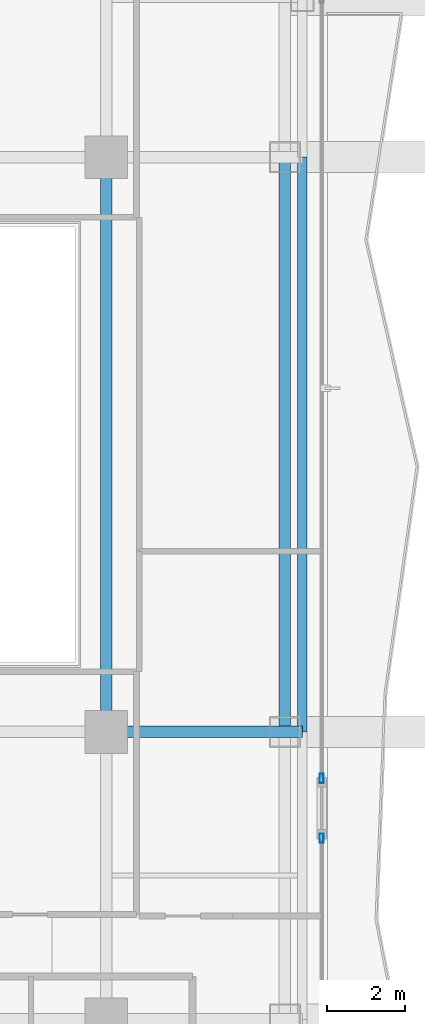
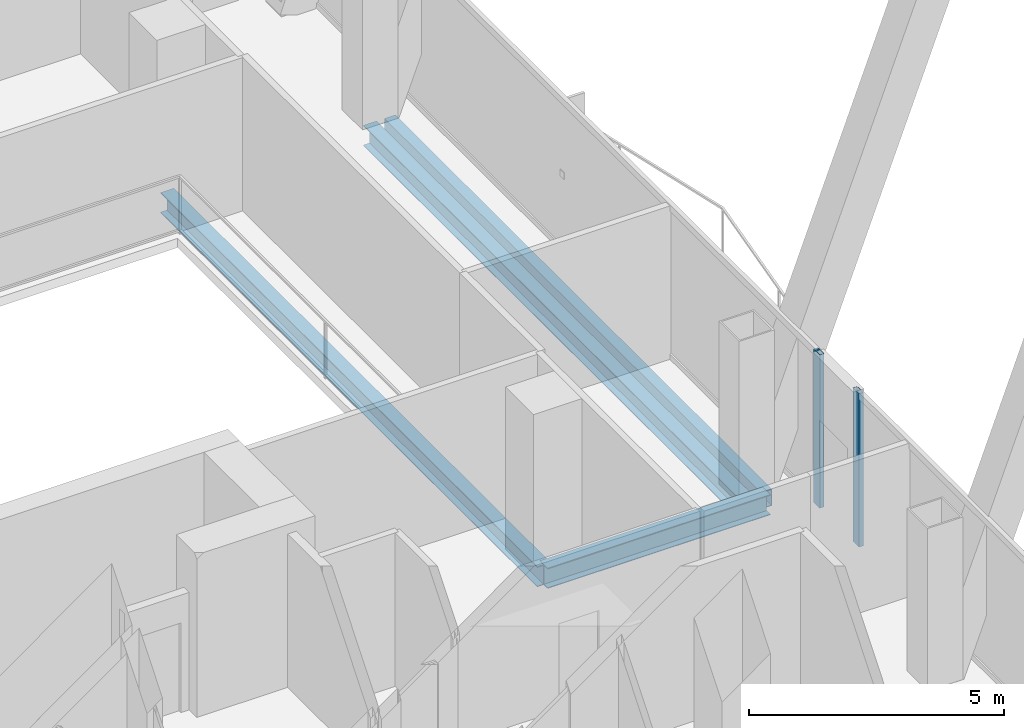
# One storey, part 12 of 27: 4 beams, 2 members, 2 elements without a shape of their own.
"""IFC4 building model written with IfcOpenShell, lengths in metres."""

from ifc_helpers import new_model, si_unit, direction, frame, origin, origin_2d, place, context, subcontext, project, spatial, hollow_rectangle, i_section, extrude, material, layer, layer_set, material_profile, profile_set, type_object, element, aggregate, save


model = new_model("IFC4")

# Units and contexts
model_context = context("Model", 3, precision=1e-05, world=origin(), true_north=direction((0.0, 1.0)))
body_context = subcontext(model_context, "Body", "Model", "MODEL_VIEW")
ifc_project = project(units=[si_unit("LENGTHUNIT", "METRE"), si_unit("AREAUNIT", "SQUARE_METRE"), si_unit("VOLUMEUNIT", "CUBIC_METRE"), si_unit("PLANEANGLEUNIT", "RADIAN"), si_unit("MASSUNIT", "GRAM", prefix="KILO")], contexts=[model_context])

# Site, building, storey
site_placement = place(None, origin())
site = spatial("IfcSite", under=ifc_project, at=site_placement, CompositionType="ELEMENT")
building_placement = place(site_placement, origin())
building = spatial("IfcBuilding", under=site, at=building_placement, Name="Khorvyn Point Tower", CompositionType="ELEMENT")
storey_placement = place(building_placement, frame((0.0, 0.0, 203.10009765625)))
storey = spatial("IfcBuildingStorey", under=building, at=storey_placement, Name="L50", CompositionType="ELEMENT", Elevation=203.10009765625)

# Curtain wall, member
ifc_material_1 = material(Name="Anodised aluminium 6063-T6 and laminated Low-E glass", Category="aluminium")
ifc_layer = layer(ifc_material_1, 0.18994140625)
ifc_layer_set = layer_set([ifc_layer], Name="Stick-Built Acoustic Curtain Wall CW-SYS-03")
curtain_wall_type = type_object("IfcCurtainWallType", Name="Stick-Built Acoustic Curtain Wall CW-SYS-03", PredefinedType="NOTDEFINED", material=ifc_layer_set)
curtain_wall_1_placement = place(storey_placement, origin())
curtain_wall_1 = element("IfcCurtainWall", 1, at=curtain_wall_1_placement, inside=storey, type_object=curtain_wall_type, Name="Curtain Wall", PredefinedType="NOTDEFINED")
ifc_material_2 = material(Name="Anodised aluminium 6063-T6", Category="aluminium")
ifc_material_profile_1 = material_profile(ifc_material_2, hollow_rectangle(XDim=0.10009765625, YDim=0.239990234375, WallThickness=0.0048828125, at=origin_2d()))
ifc_profile_set_1 = profile_set([ifc_material_profile_1], Name="Anodised aluminium 6063-T6 ALU-MUL-100x240")
member_type = type_object("IfcMemberType", Name="Anodised Aluminium 6063-T6 Mullion ALU-MUL-100x240", PredefinedType="MULLION", material=ifc_profile_set_1)
member_1_placement = place(storey_placement, frame((20.35009765625, -8.596923828125, 0.0), z_axis=(0.0, 0.0, 1.0), x_axis=(1.0, 0.0, 0.0)))
member_1 = element("IfcMember", 2, at=member_1_placement, type_object=member_type, Name="Transom", PredefinedType="MULLION", context=body_context, shape_type="SweptSolid", body=[
    extrude(hollow_rectangle(XDim=0.10009765625, YDim=0.239990234375, WallThickness=0.0048828125, at=origin_2d()), origin(), (0.0, 0.0, 1.0), 3.679931640625),
])
aggregate(curtain_wall_1, [member_1])

curtain_wall_2_placement = place(storey_placement, origin())
curtain_wall_2 = element("IfcCurtainWall", 3, at=curtain_wall_2_placement, inside=storey, type_object=curtain_wall_type, Name="Curtain Wall", PredefinedType="NOTDEFINED")
member_2_placement = place(storey_placement, frame((20.35009765625, -10.136962890625, 0.0), z_axis=(0.0, 0.0, 1.0), x_axis=(1.0, 0.0, 0.0)))
member_2 = element("IfcMember", 4, at=member_2_placement, type_object=member_type, Name="Transom", PredefinedType="MULLION", context=body_context, shape_type="SweptSolid", body=[
    extrude(hollow_rectangle(XDim=0.10009765625, YDim=0.239990234375, WallThickness=0.0048828125, at=origin_2d()), origin(), (0.0, 0.0, 1.0), 3.679931640625),
])
aggregate(curtain_wall_2, [member_2])

# Beams
ifc_material_3 = material(Name="Steel S355", Category="steel")
ifc_material_profile_2 = material_profile(ifc_material_3, i_section(OverallWidth=0.300048828125, OverallDepth=0.488037109375, WebThickness=0.010986328125, FlangeThickness=0.01806640625, at=origin_2d()))
ifc_profile_set_2 = profile_set([ifc_material_profile_2], Name="Steel S355 H488x300x11x18")
beam_type_1 = type_object("IfcBeamType", Name="Steel S355 Spandrel H488x300x11x18", PredefinedType="SPANDREL", material=ifc_profile_set_2)
beam_1_placement = place(storey_placement, frame((14.800048828125, -7.39990234375, -0.464111328125), z_axis=(1.0, 0.0, 0.0), x_axis=(0.0, 1.0, 0.0)))
element("IfcBeam", 5, at=beam_1_placement, inside=storey, type_object=beam_type_1, Name="Beam", PredefinedType="SPANDREL", context=body_context, shape_type="SweptSolid", body=[
    extrude(i_section(OverallWidth=0.300048828125, OverallDepth=0.488037109375, WebThickness=0.010986328125, FlangeThickness=0.01806640625, at=origin_2d()), origin(), (0.0, 0.0, 1.0), 5.050048828125),
])
for number, where, z_axis, x_axis, name in (
    (6, (14.800048828125, -7.39990234375, -0.464111328125), (0.0, 1.0, 0.0), (-1.0, 0.0, 0.0), "Beam"),
    (7, (19.39990234375, -7.39990234375, -0.464111328125), (0.0, 1.0, 0.0), (-1.0, 0.0, 0.0), "Beam"),
):
    element("IfcBeam", number, at=place(storey_placement, frame(where, z_axis=z_axis, x_axis=x_axis)), inside=storey, type_object=beam_type_1, Name=name, PredefinedType="SPANDREL", context=body_context, shape_type="SweptSolid", body=[
        extrude(i_section(OverallWidth=0.300048828125, OverallDepth=0.488037109375, WebThickness=0.010986328125, FlangeThickness=0.01806640625, at=origin_2d()), origin(), (0.0, 0.0, 1.0), 14.7998046875),
    ])
ifc_material_profile_3 = material_profile(ifc_material_3, hollow_rectangle(XDim=0.25, YDim=0.39990234375, WallThickness=0.01611328125, at=origin_2d()))
ifc_profile_set_3 = profile_set([ifc_material_profile_3], Name="Steel S355 RHS400x250x16")
beam_type_2 = type_object("IfcBeamType", Name="Steel S355 Spandrel RHS400x250x16", PredefinedType="SPANDREL", material=ifc_profile_set_3)
beam_2_placement = place(storey_placement, frame((19.85009765625, -7.39990234375, -0.420166015625), z_axis=(0.0, 1.0, 0.0), x_axis=(-1.0, 0.0, 0.0)))
element("IfcBeam", 8, at=beam_2_placement, inside=storey, type_object=beam_type_2, Name="Beam", PredefinedType="SPANDREL", context=body_context, shape_type="SweptSolid", body=[
    extrude(hollow_rectangle(XDim=0.25, YDim=0.39990234375, WallThickness=0.01611328125, at=origin_2d()), origin(), (0.0, 0.0, 1.0), 14.7998046875),
])

save(model, "model.ifc")
